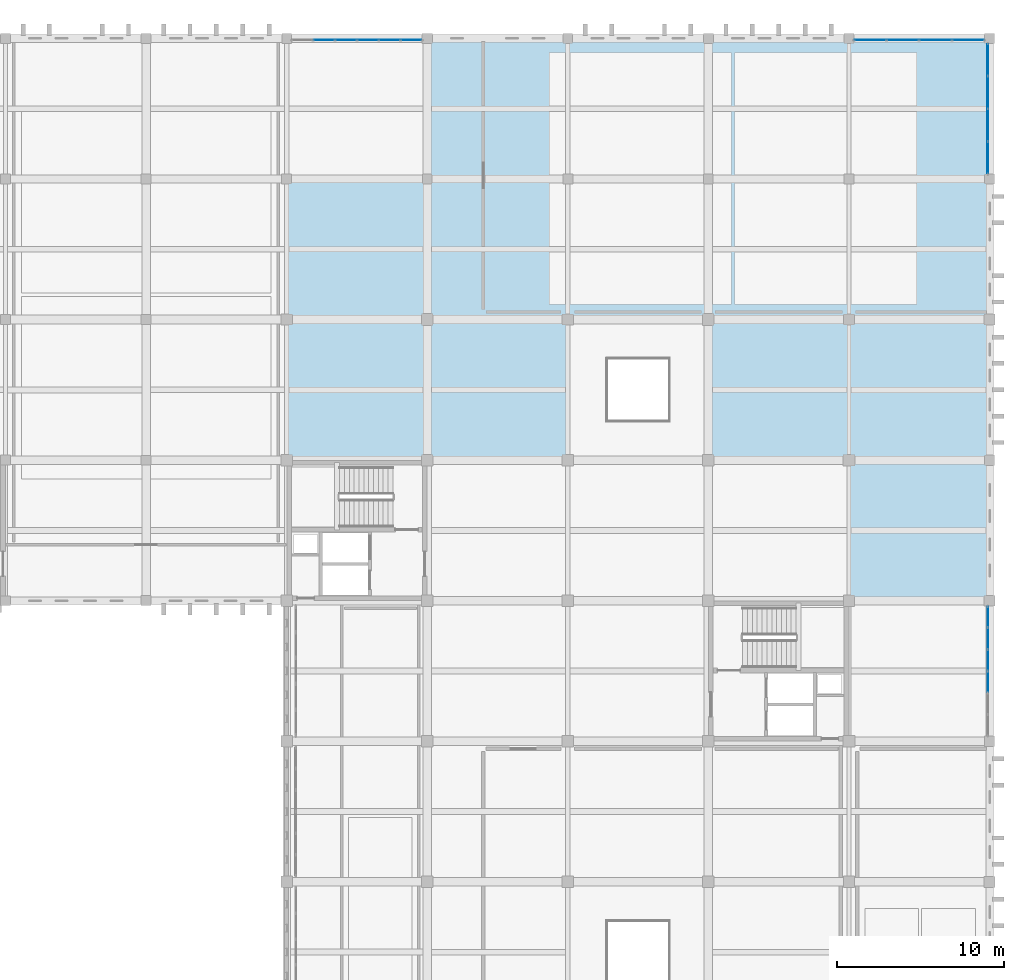
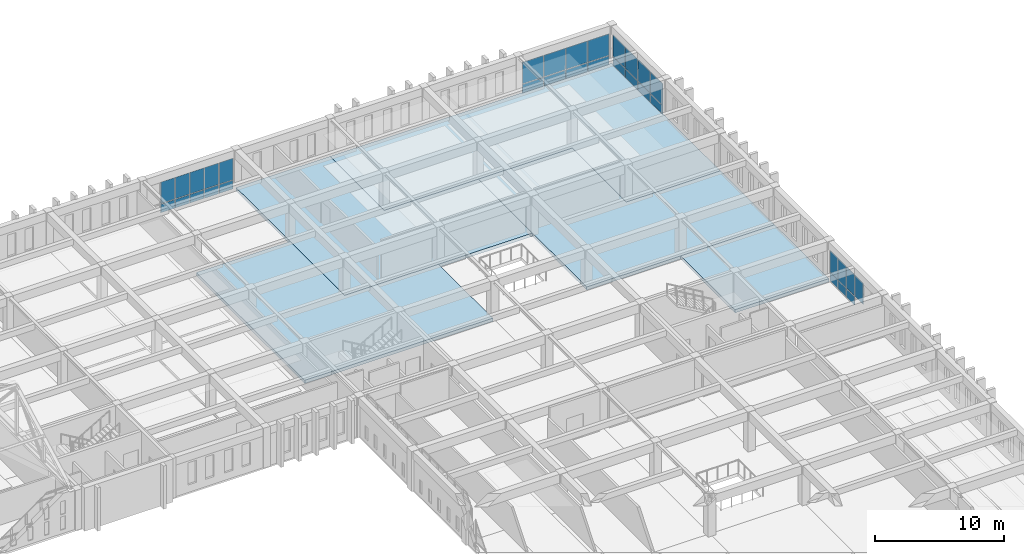
# One storey, part 63 of 110: 33 plates, 5 slabs, 4 elements without a shape of their own.
"""IFC4 building model written with IfcOpenShell, lengths in metres."""

from ifc_helpers import new_model, si_unit, direction, frame, origin, origin_2d, place, context, subcontext, project, spatial, polyline, rectangle, outline, extrude, material, layer, layer_set, type_object, element, aggregate, save


model = new_model("IFC4")

# Units and contexts
model_context = context("Model", 3, precision=1e-05, world=origin(), true_north=direction((0.0, 1.0)))
body_context = subcontext(model_context, "Body", "Model", "MODEL_VIEW")
ifc_project = project(units=[si_unit("LENGTHUNIT", "METRE"), si_unit("AREAUNIT", "SQUARE_METRE"), si_unit("VOLUMEUNIT", "CUBIC_METRE"), si_unit("PLANEANGLEUNIT", "RADIAN"), si_unit("MASSUNIT", "GRAM", prefix="KILO")], contexts=[model_context])

# Site, building, storey
site_placement = place(None, origin())
site = spatial("IfcSite", under=ifc_project, at=site_placement, CompositionType="ELEMENT")
building_placement = place(site_placement, origin())
building = spatial("IfcBuilding", under=site, at=building_placement, Name="Kveldsbrygga Polytechnic", CompositionType="ELEMENT")
storey_placement = place(building_placement, frame((0.0, 0.0, 9.860107421875)))
storey = spatial("IfcBuildingStorey", under=building, at=storey_placement, Name="L02", CompositionType="ELEMENT", Elevation=9.860107421875)

# Curtain wall, plates
ifc_material_1 = material(Name="Anodised aluminium AW-6060", Category="aluminium")
ifc_layer_1 = layer(ifc_material_1, 0.179931640625)
ifc_layer_set_1 = layer_set([ifc_layer_1], Name="Anodised aluminium AW-6060")
curtain_wall_type_1 = type_object("IfcCurtainWallType", Name="CW-CONC-A", PredefinedType="USERDEFINED", material=ifc_layer_set_1)
curtain_wall_1_placement = place(storey_placement, origin())
curtain_wall_1 = element("IfcCurtainWall", 1, at=curtain_wall_1_placement, inside=storey, type_object=curtain_wall_type_1, Name="Curtain Wall CW-L02-X-15-14", ObjectType="UNITISED CURTAIN WALL", PredefinedType="USERDEFINED")
ifc_material_2 = material(Name="Insulated triple low-E glass", Category="glass")
ifc_layer_2 = layer(ifc_material_2, 0.035888671875)
ifc_layer_set_2 = layer_set([ifc_layer_2], Name="Insulated triple low-E glass")
plate_type_1 = type_object("IfcPlateType", Name="CW-PAN-VIS36", PredefinedType="CURTAIN_PANEL", material=ifc_layer_set_2)
plate_1_placement = place(storey_placement, frame((128.235107421875, 117.5, 0.059814453125), z_axis=(0.0, 0.0, 1.0), x_axis=(1.0, 0.0, 0.0)))
plate_1 = element("IfcPlate", 2, at=plate_1_placement, type_object=plate_type_1, Name="CW-01 panel 2.1", PredefinedType="CURTAIN_PANEL", context=body_context, shape_type="SweptSolid", body=[
    extrude(rectangle(XDim=1.24658203125, YDim=0.035888671875, at=origin_2d()), origin(), (0.0, 0.0, 1.0), 0.81005859375),
])
plate_2_placement = place(storey_placement, frame((128.235107421875, 117.5, 0.929931640625), z_axis=(0.0, 0.0, 1.0), x_axis=(1.0, 0.0, 0.0)))
plate_2 = element("IfcPlate", 3, at=plate_2_placement, type_object=plate_type_1, Name="CW-01 panel 2.2", PredefinedType="CURTAIN_PANEL", context=body_context, shape_type="SweptSolid", body=[
    extrude(rectangle(XDim=1.24658203125, YDim=0.035888671875, at=origin_2d()), origin(), (0.0, 0.0, 1.0), 2.02001953125),
])
plate_3_placement = place(storey_placement, frame((129.541748046875, 117.5, 0.059814453125), z_axis=(0.0, 0.0, 1.0), x_axis=(1.0, 0.0, 0.0)))
plate_3 = element("IfcPlate", 4, at=plate_3_placement, type_object=plate_type_1, Name="CW-01 panel 3.1", PredefinedType="CURTAIN_PANEL", context=body_context, shape_type="SweptSolid", body=[
    extrude(rectangle(XDim=1.24658203125, YDim=0.035888671875, at=origin_2d()), origin(), (0.0, 0.0, 1.0), 0.81005859375),
])
plate_4_placement = place(storey_placement, frame((129.541748046875, 117.5, 0.929931640625), z_axis=(0.0, 0.0, 1.0), x_axis=(1.0, 0.0, 0.0)))
plate_4 = element("IfcPlate", 5, at=plate_4_placement, type_object=plate_type_1, Name="CW-01 panel 3.2", PredefinedType="CURTAIN_PANEL", context=body_context, shape_type="SweptSolid", body=[
    extrude(rectangle(XDim=1.24658203125, YDim=0.035888671875, at=origin_2d()), origin(), (0.0, 0.0, 1.0), 2.02001953125),
])
plate_5_placement = place(storey_placement, frame((130.848388671875, 117.5, 0.059814453125), z_axis=(0.0, 0.0, 1.0), x_axis=(1.0, 0.0, 0.0)))
plate_5 = element("IfcPlate", 6, at=plate_5_placement, type_object=plate_type_1, Name="CW-01 panel 4.1", PredefinedType="CURTAIN_PANEL", context=body_context, shape_type="SweptSolid", body=[
    extrude(rectangle(XDim=1.24658203125, YDim=0.035888671875, at=origin_2d()), origin(), (0.0, 0.0, 1.0), 0.81005859375),
])
plate_6_placement = place(storey_placement, frame((130.848388671875, 117.5, 0.929931640625), z_axis=(0.0, 0.0, 1.0), x_axis=(1.0, 0.0, 0.0)))
plate_6 = element("IfcPlate", 7, at=plate_6_placement, type_object=plate_type_1, Name="CW-01 panel 4.2", PredefinedType="CURTAIN_PANEL", context=body_context, shape_type="SweptSolid", body=[
    extrude(rectangle(XDim=1.24658203125, YDim=0.035888671875, at=origin_2d()), origin(), (0.0, 0.0, 1.0), 2.02001953125),
])
plate_7_placement = place(storey_placement, frame((132.155029296875, 117.5, 0.059814453125), z_axis=(0.0, 0.0, 1.0), x_axis=(1.0, 0.0, 0.0)))
plate_7 = element("IfcPlate", 8, at=plate_7_placement, type_object=plate_type_1, Name="CW-01 panel 5.1", PredefinedType="CURTAIN_PANEL", context=body_context, shape_type="SweptSolid", body=[
    extrude(rectangle(XDim=1.24658203125, YDim=0.035888671875, at=origin_2d()), origin(), (0.0, 0.0, 1.0), 0.81005859375),
])
plate_8_placement = place(storey_placement, frame((132.155029296875, 117.5, 0.929931640625), z_axis=(0.0, 0.0, 1.0), x_axis=(1.0, 0.0, 0.0)))
plate_8 = element("IfcPlate", 9, at=plate_8_placement, type_object=plate_type_1, Name="CW-01 panel 5.2", PredefinedType="CURTAIN_PANEL", context=body_context, shape_type="SweptSolid", body=[
    extrude(rectangle(XDim=1.24658203125, YDim=0.035888671875, at=origin_2d()), origin(), (0.0, 0.0, 1.0), 2.02001953125),
])
plate_9_placement = place(storey_placement, frame((133.44677734375, 117.5, 0.059814453125), z_axis=(0.0, 0.0, 1.0), x_axis=(1.0, 0.0, 0.0)))
plate_9 = element("IfcPlate", 10, at=plate_9_placement, type_object=plate_type_1, Name="CW-01 panel 6.1", PredefinedType="CURTAIN_PANEL", context=body_context, shape_type="SweptSolid", body=[
    extrude(rectangle(XDim=1.216552734375, YDim=0.035888671875, at=origin_2d()), origin(), (0.0, 0.0, 1.0), 0.81005859375),
])
plate_10_placement = place(storey_placement, frame((133.44677734375, 117.5, 0.929931640625), z_axis=(0.0, 0.0, 1.0), x_axis=(1.0, 0.0, 0.0)))
plate_10 = element("IfcPlate", 11, at=plate_10_placement, type_object=plate_type_1, Name="CW-01 panel 6.2", PredefinedType="CURTAIN_PANEL", context=body_context, shape_type="SweptSolid", body=[
    extrude(rectangle(XDim=1.216552734375, YDim=0.035888671875, at=origin_2d()), origin(), (0.0, 0.0, 1.0), 2.02001953125),
])
aggregate(curtain_wall_1, [plate_1, plate_2, plate_3, plate_4, plate_5, plate_6, plate_7, plate_8, plate_9, plate_10])

curtain_wall_2_placement = place(storey_placement, origin())
curtain_wall_2 = element("IfcCurtainWall", 12, at=curtain_wall_2_placement, inside=storey, type_object=curtain_wall_type_1, Name="Curtain Wall CW-L02-Y-20-09", ObjectType="UNITISED CURTAIN WALL", PredefinedType="USERDEFINED")
plate_11_placement = place(storey_placement, frame((167.89990234375, 79.142822265625, 0.9296875), z_axis=(0.0, 0.0, 1.0), x_axis=(0.0, 1.0, 0.0)))
plate_11 = element("IfcPlate", 13, at=plate_11_placement, type_object=plate_type_1, Name="CW-01 panel 3.2", PredefinedType="CURTAIN_PANEL", context=body_context, shape_type="SweptSolid", body=[
    extrude(rectangle(XDim=1.2392578125, YDim=0.035888671875, at=origin_2d()), origin(), (0.0, 0.0, 1.0), 2.010009765625),
])
plate_12_placement = place(storey_placement, frame((167.89990234375, 80.442138671875, 0.059814453125), z_axis=(0.0, 0.0, 1.0), x_axis=(0.0, 1.0, 0.0)))
plate_12 = element("IfcPlate", 14, at=plate_12_placement, type_object=plate_type_1, Name="CW-01 panel 4.1", PredefinedType="CURTAIN_PANEL", context=body_context, shape_type="SweptSolid", body=[
    extrude(rectangle(XDim=1.2392578125, YDim=0.035888671875, at=origin_2d()), origin(), (0.0, 0.0, 1.0), 0.81005859375),
])
plate_13_placement = place(storey_placement, frame((167.89990234375, 80.442138671875, 0.9296875), z_axis=(0.0, 0.0, 1.0), x_axis=(0.0, 1.0, 0.0)))
plate_13 = element("IfcPlate", 15, at=plate_13_placement, type_object=plate_type_1, Name="CW-01 panel 4.2", PredefinedType="CURTAIN_PANEL", context=body_context, shape_type="SweptSolid", body=[
    extrude(rectangle(XDim=1.2392578125, YDim=0.035888671875, at=origin_2d()), origin(), (0.0, 0.0, 1.0), 2.010009765625),
])
plate_14_placement = place(storey_placement, frame((167.89990234375, 81.7412109375, 0.059814453125), z_axis=(0.0, 0.0, 1.0), x_axis=(0.0, 1.0, 0.0)))
plate_14 = element("IfcPlate", 16, at=plate_14_placement, type_object=plate_type_1, Name="CW-01 panel 5.1", PredefinedType="CURTAIN_PANEL", context=body_context, shape_type="SweptSolid", body=[
    extrude(rectangle(XDim=1.2392578125, YDim=0.035888671875, at=origin_2d()), origin(), (0.0, 0.0, 1.0), 0.81005859375),
])
plate_15_placement = place(storey_placement, frame((167.89990234375, 81.7412109375, 0.9296875), z_axis=(0.0, 0.0, 1.0), x_axis=(0.0, 1.0, 0.0)))
plate_15 = element("IfcPlate", 17, at=plate_15_placement, type_object=plate_type_1, Name="CW-01 panel 5.2", PredefinedType="CURTAIN_PANEL", context=body_context, shape_type="SweptSolid", body=[
    extrude(rectangle(XDim=1.2392578125, YDim=0.035888671875, at=origin_2d()), origin(), (0.0, 0.0, 1.0), 2.010009765625),
])
plate_16_placement = place(storey_placement, frame((167.89990234375, 83.025390625, 0.059814453125), z_axis=(0.0, 0.0, 1.0), x_axis=(0.0, 1.0, 0.0)))
plate_16 = element("IfcPlate", 18, at=plate_16_placement, type_object=plate_type_1, Name="CW-01 panel 6.1", PredefinedType="CURTAIN_PANEL", context=body_context, shape_type="SweptSolid", body=[
    extrude(rectangle(XDim=1.209228515625, YDim=0.035888671875, at=origin_2d()), origin(), (0.0, 0.0, 1.0), 0.81005859375),
])
plate_17_placement = place(storey_placement, frame((167.89990234375, 83.025390625, 0.9296875), z_axis=(0.0, 0.0, 1.0), x_axis=(0.0, 1.0, 0.0)))
plate_17 = element("IfcPlate", 19, at=plate_17_placement, type_object=plate_type_1, Name="CW-01 panel 6.2", PredefinedType="CURTAIN_PANEL", context=body_context, shape_type="SweptSolid", body=[
    extrude(rectangle(XDim=1.209228515625, YDim=0.035888671875, at=origin_2d()), origin(), (0.0, 0.0, 1.0), 2.010009765625),
])
aggregate(curtain_wall_2, [plate_11, plate_12, plate_13, plate_14, plate_15, plate_16, plate_17])

ifc_layer_3 = layer(ifc_material_1, 0.199951171875)
ifc_layer_set_3 = layer_set([ifc_layer_3], Name="Anodised aluminium AW-6060")
curtain_wall_type_2 = type_object("IfcCurtainWallType", Name="CW-LANC-E", PredefinedType="USERDEFINED", material=ifc_layer_set_3)
curtain_wall_3_placement = place(storey_placement, origin())
curtain_wall_3 = element("IfcCurtainWall", 20, at=curtain_wall_3_placement, inside=storey, type_object=curtain_wall_type_2, Name="Curtain Wall CW-L02-X-19-14", ObjectType="UNITISED CURTAIN WALL", PredefinedType="USERDEFINED")
ifc_layer_4 = layer(ifc_material_2, 0.0419921875)
ifc_layer_set_4 = layer_set([ifc_layer_4], Name="Insulated triple low-E glass")
plate_type_2 = type_object("IfcPlateType", Name="CW-PAN-VIS42", PredefinedType="CURTAIN_PANEL", material=ifc_layer_set_4)
plate_18_placement = place(storey_placement, frame((160.8701171875, 117.5, 0.059814453125), z_axis=(0.0, 0.0, 1.0), x_axis=(1.0, 0.0, 0.0)))
plate_18 = element("IfcPlate", 21, at=plate_18_placement, type_object=plate_type_2, Name="CW-05 panel 1.1", PredefinedType="CURTAIN_PANEL", context=body_context, shape_type="SweptSolid", body=[
    extrude(rectangle(XDim=1.8701171875, YDim=0.0419921875, at=origin_2d()), origin(), (0.0, 0.0, 1.0), 0.81005859375),
])
plate_19_placement = place(storey_placement, frame((160.8701171875, 117.5, 0.929931640625), z_axis=(0.0, 0.0, 1.0), x_axis=(1.0, 0.0, 0.0)))
plate_19 = element("IfcPlate", 22, at=plate_19_placement, type_object=plate_type_2, Name="CW-05 panel 1.2", PredefinedType="CURTAIN_PANEL", context=body_context, shape_type="SweptSolid", body=[
    extrude(rectangle(XDim=1.8701171875, YDim=0.0419921875, at=origin_2d()), origin(), (0.0, 0.0, 1.0), 2.02001953125),
])
plate_20_placement = place(storey_placement, frame((162.81494140625, 117.5, 0.059814453125), z_axis=(0.0, 0.0, 1.0), x_axis=(1.0, 0.0, 0.0)))
plate_20 = element("IfcPlate", 23, at=plate_20_placement, type_object=plate_type_2, Name="CW-05 panel 2.1", PredefinedType="CURTAIN_PANEL", context=body_context, shape_type="SweptSolid", body=[
    extrude(rectangle(XDim=1.89990234375, YDim=0.0419921875, at=origin_2d()), origin(), (0.0, 0.0, 1.0), 0.81005859375),
])
plate_21_placement = place(storey_placement, frame((162.81494140625, 117.5, 0.929931640625), z_axis=(0.0, 0.0, 1.0), x_axis=(1.0, 0.0, 0.0)))
plate_21 = element("IfcPlate", 24, at=plate_21_placement, type_object=plate_type_2, Name="CW-05 panel 2.2", PredefinedType="CURTAIN_PANEL", context=body_context, shape_type="SweptSolid", body=[
    extrude(rectangle(XDim=1.89990234375, YDim=0.0419921875, at=origin_2d()), origin(), (0.0, 0.0, 1.0), 2.02001953125),
])
plate_22_placement = place(storey_placement, frame((164.77490234375, 117.5, 0.059814453125), z_axis=(0.0, 0.0, 1.0), x_axis=(1.0, 0.0, 0.0)))
plate_22 = element("IfcPlate", 25, at=plate_22_placement, type_object=plate_type_2, Name="CW-05 panel 3.1", PredefinedType="CURTAIN_PANEL", context=body_context, shape_type="SweptSolid", body=[
    extrude(rectangle(XDim=1.89990234375, YDim=0.0419921875, at=origin_2d()), origin(), (0.0, 0.0, 1.0), 0.81005859375),
])
plate_23_placement = place(storey_placement, frame((164.77490234375, 117.5, 0.929931640625), z_axis=(0.0, 0.0, 1.0), x_axis=(1.0, 0.0, 0.0)))
plate_23 = element("IfcPlate", 26, at=plate_23_placement, type_object=plate_type_2, Name="CW-05 panel 3.2", PredefinedType="CURTAIN_PANEL", context=body_context, shape_type="SweptSolid", body=[
    extrude(rectangle(XDim=1.89990234375, YDim=0.0419921875, at=origin_2d()), origin(), (0.0, 0.0, 1.0), 2.02001953125),
])
plate_24_placement = place(storey_placement, frame((166.719970703125, 117.5, 0.059814453125), z_axis=(0.0, 0.0, 1.0), x_axis=(1.0, 0.0, 0.0)))
plate_24 = element("IfcPlate", 27, at=plate_24_placement, type_object=plate_type_2, Name="CW-05 panel 4.1", PredefinedType="CURTAIN_PANEL", context=body_context, shape_type="SweptSolid", body=[
    extrude(rectangle(XDim=1.8701171875, YDim=0.0419921875, at=origin_2d()), origin(), (0.0, 0.0, 1.0), 0.81005859375),
])
plate_25_placement = place(storey_placement, frame((166.719970703125, 117.5, 0.929931640625), z_axis=(0.0, 0.0, 1.0), x_axis=(1.0, 0.0, 0.0)))
plate_25 = element("IfcPlate", 28, at=plate_25_placement, type_object=plate_type_2, Name="CW-05 panel 4.2", PredefinedType="CURTAIN_PANEL", context=body_context, shape_type="SweptSolid", body=[
    extrude(rectangle(XDim=1.8701171875, YDim=0.0419921875, at=origin_2d()), origin(), (0.0, 0.0, 1.0), 2.02001953125),
])
aggregate(curtain_wall_3, [plate_18, plate_19, plate_20, plate_21, plate_22, plate_23, plate_24, plate_25])

curtain_wall_4_placement = place(storey_placement, origin())
curtain_wall_4 = element("IfcCurtainWall", 29, at=curtain_wall_4_placement, inside=storey, type_object=curtain_wall_type_2, Name="Curtain Wall CW-L02-Y-20-13", ObjectType="UNITISED CURTAIN WALL", PredefinedType="USERDEFINED")
plate_26_placement = place(storey_placement, frame((167.89990234375, 110.469970703125, 0.059814453125), z_axis=(0.0, 0.0, 1.0), x_axis=(0.0, 1.0, 0.0)))
plate_26 = element("IfcPlate", 30, at=plate_26_placement, type_object=plate_type_2, Name="CW-05 panel 1.1", PredefinedType="CURTAIN_PANEL", context=body_context, shape_type="SweptSolid", body=[
    extrude(rectangle(XDim=1.8701171875, YDim=0.0419921875, at=origin_2d()), origin(), (0.0, 0.0, 1.0), 0.81005859375),
])
plate_27_placement = place(storey_placement, frame((167.89990234375, 110.469970703125, 0.9296875), z_axis=(0.0, 0.0, 1.0), x_axis=(0.0, 1.0, 0.0)))
plate_27 = element("IfcPlate", 31, at=plate_27_placement, type_object=plate_type_2, Name="CW-05 panel 1.2", PredefinedType="CURTAIN_PANEL", context=body_context, shape_type="SweptSolid", body=[
    extrude(rectangle(XDim=1.8701171875, YDim=0.0419921875, at=origin_2d()), origin(), (0.0, 0.0, 1.0), 2.010009765625),
])
plate_28_placement = place(storey_placement, frame((167.89990234375, 112.4150390625, 0.059814453125), z_axis=(0.0, 0.0, 1.0), x_axis=(0.0, 1.0, 0.0)))
plate_28 = element("IfcPlate", 32, at=plate_28_placement, type_object=plate_type_2, Name="CW-05 panel 2.1", PredefinedType="CURTAIN_PANEL", context=body_context, shape_type="SweptSolid", body=[
    extrude(rectangle(XDim=1.89990234375, YDim=0.0419921875, at=origin_2d()), origin(), (0.0, 0.0, 1.0), 0.81005859375),
])
plate_29_placement = place(storey_placement, frame((167.89990234375, 112.4150390625, 0.9296875), z_axis=(0.0, 0.0, 1.0), x_axis=(0.0, 1.0, 0.0)))
plate_29 = element("IfcPlate", 33, at=plate_29_placement, type_object=plate_type_2, Name="CW-05 panel 2.2", PredefinedType="CURTAIN_PANEL", context=body_context, shape_type="SweptSolid", body=[
    extrude(rectangle(XDim=1.89990234375, YDim=0.0419921875, at=origin_2d()), origin(), (0.0, 0.0, 1.0), 2.010009765625),
])
plate_30_placement = place(storey_placement, frame((167.89990234375, 114.375, 0.059814453125), z_axis=(0.0, 0.0, 1.0), x_axis=(0.0, 1.0, 0.0)))
plate_30 = element("IfcPlate", 34, at=plate_30_placement, type_object=plate_type_2, Name="CW-05 panel 3.1", PredefinedType="CURTAIN_PANEL", context=body_context, shape_type="SweptSolid", body=[
    extrude(rectangle(XDim=1.89990234375, YDim=0.0419921875, at=origin_2d()), origin(), (0.0, 0.0, 1.0), 0.81005859375),
])
plate_31_placement = place(storey_placement, frame((167.89990234375, 114.375, 0.9296875), z_axis=(0.0, 0.0, 1.0), x_axis=(0.0, 1.0, 0.0)))
plate_31 = element("IfcPlate", 35, at=plate_31_placement, type_object=plate_type_2, Name="CW-05 panel 3.2", PredefinedType="CURTAIN_PANEL", context=body_context, shape_type="SweptSolid", body=[
    extrude(rectangle(XDim=1.89990234375, YDim=0.0419921875, at=origin_2d()), origin(), (0.0, 0.0, 1.0), 2.010009765625),
])
plate_32_placement = place(storey_placement, frame((167.89990234375, 116.320068359375, 0.059814453125), z_axis=(0.0, 0.0, 1.0), x_axis=(0.0, 1.0, 0.0)))
plate_32 = element("IfcPlate", 36, at=plate_32_placement, type_object=plate_type_2, Name="CW-05 panel 4.1", PredefinedType="CURTAIN_PANEL", context=body_context, shape_type="SweptSolid", body=[
    extrude(rectangle(XDim=1.8701171875, YDim=0.0419921875, at=origin_2d()), origin(), (0.0, 0.0, 1.0), 0.81005859375),
])
plate_33_placement = place(storey_placement, frame((167.89990234375, 116.320068359375, 0.9296875), z_axis=(0.0, 0.0, 1.0), x_axis=(0.0, 1.0, 0.0)))
plate_33 = element("IfcPlate", 37, at=plate_33_placement, type_object=plate_type_2, Name="CW-05 panel 4.2", PredefinedType="CURTAIN_PANEL", context=body_context, shape_type="SweptSolid", body=[
    extrude(rectangle(XDim=1.8701171875, YDim=0.0419921875, at=origin_2d()), origin(), (0.0, 0.0, 1.0), 2.010009765625),
])
aggregate(curtain_wall_4, [plate_26, plate_27, plate_28, plate_29, plate_30, plate_31, plate_32, plate_33])

# Slabs
ifc_material_3 = material(Name="Concrete C35/45", Category="concrete")
ifc_layer_5 = layer(ifc_material_3, 0.300048828125)
ifc_layer_set_5 = layer_set([ifc_layer_5], Name="Concrete C35/45")
slab_type = type_object("IfcSlabType", Name="SLB-LAB-300", PredefinedType="FLOOR", material=ifc_layer_set_5)
slab_1_placement = place(storey_placement, frame((0.0, 0.0, -0.300048828125)))
element("IfcSlab", 38, at=slab_1_placement, inside=storey, type_object=slab_type, Name="Slab SLB-L02-V4-L07-1", PredefinedType="FLOOR", context=body_context, shape_type="SweptSolid", body=[
    extrude(outline(polyline([(126.0, 92.39990234375), (126.0, 100.800048828125), (126.0, 109.199951171875), (134.39990234375, 109.199951171875), (134.39990234375, 100.800048828125), (142.800048828125, 100.800048828125), (142.800048828125, 92.39990234375), (134.39990234375, 92.39990234375), (126.0, 92.39990234375)])), origin(), (0.0, 0.0, 1.0), 0.300048828125),
])
slab_2_placement = place(storey_placement, frame((0.0, 0.0, -0.300048828125)))
element("IfcSlab", 39, at=slab_2_placement, inside=storey, type_object=slab_type, Name="Slab SLB-L02-V4-L10-1", PredefinedType="FLOOR", context=body_context, shape_type="SweptSolid", body=[
    extrude(outline(polyline([(134.39990234375, 100.800048828125), (134.39990234375, 109.199951171875), (134.39990234375, 117.60009765625), (142.800048828125, 117.60009765625), (142.800048828125, 109.199951171875), (151.199951171875, 109.199951171875), (151.199951171875, 100.800048828125), (142.800048828125, 100.800048828125), (134.39990234375, 100.800048828125)])), origin(), (0.0, 0.0, 1.0), 0.300048828125),
])
slab_3_placement = place(storey_placement, frame((0.0, 0.0, -0.300048828125)))
element("IfcSlab", 40, at=slab_3_placement, inside=storey, type_object=slab_type, Name="Slab SLB-L02-V4-L16-1", PredefinedType="FLOOR", context=body_context, shape_type="SweptSolid", body=[
    extrude(outline(polyline([(151.199951171875, 92.39990234375), (151.199951171875, 100.800048828125), (151.199951171875, 109.199951171875), (159.60009765625, 109.199951171875), (159.60009765625, 100.800048828125), (168.0, 100.800048828125), (168.0, 92.39990234375), (159.60009765625, 92.39990234375), (151.199951171875, 92.39990234375)])), origin(), (0.0, 0.0, 1.0), 0.300048828125),
])
slab_4_placement = place(storey_placement, frame((0.0, 0.0, -0.300048828125)))
element("IfcSlab", 41, at=slab_4_placement, inside=storey, type_object=slab_type, Name="Slab SLB-L02-V4-Z9-2", PredefinedType="FLOOR", context=body_context, shape_type="SweptSolid", body=[
    extrude(outline(polyline([(168.0, 92.39990234375), (168.0, 84.0), (159.60009765625, 84.0), (159.60009765625, 92.39990234375), (168.0, 92.39990234375)])), origin(), (0.0, 0.0, 1.0), 0.300048828125),
])
slab_5_placement = place(storey_placement, frame((0.0, 0.0, -0.300048828125)))
element("IfcSlab", 42, at=slab_5_placement, inside=storey, type_object=slab_type, Name="Slab SLB-L02-V4-Z9-3", PredefinedType="FLOOR", context=body_context, shape_type="SweptSolid", body=[
    extrude(outline(polyline([(168.0, 100.800048828125), (159.60009765625, 100.800048828125), (159.60009765625, 109.199951171875), (151.199951171875, 109.199951171875), (142.800048828125, 109.199951171875), (142.800048828125, 117.60009765625), (151.199951171875, 117.60009765625), (159.60009765625, 117.60009765625), (168.0, 117.60009765625), (168.0, 109.199951171875), (168.0, 100.800048828125)])), origin(), (0.0, 0.0, 1.0), 0.300048828125),
])

save(model, "model.ifc")
